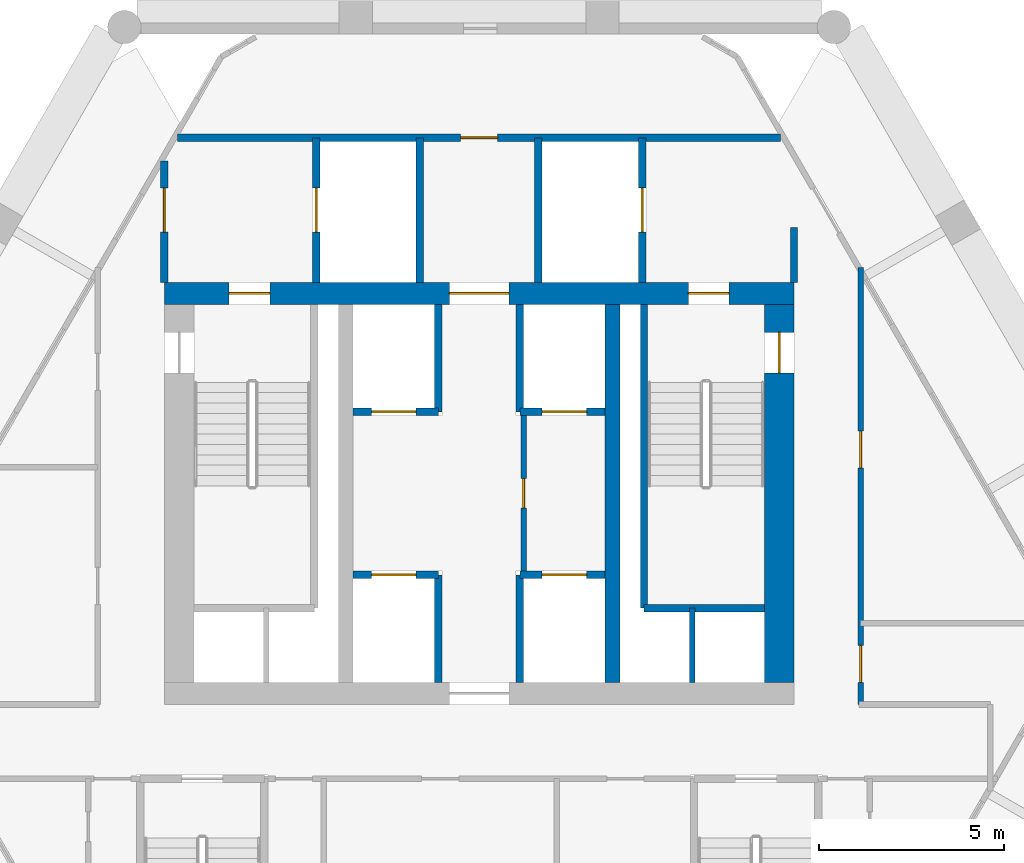
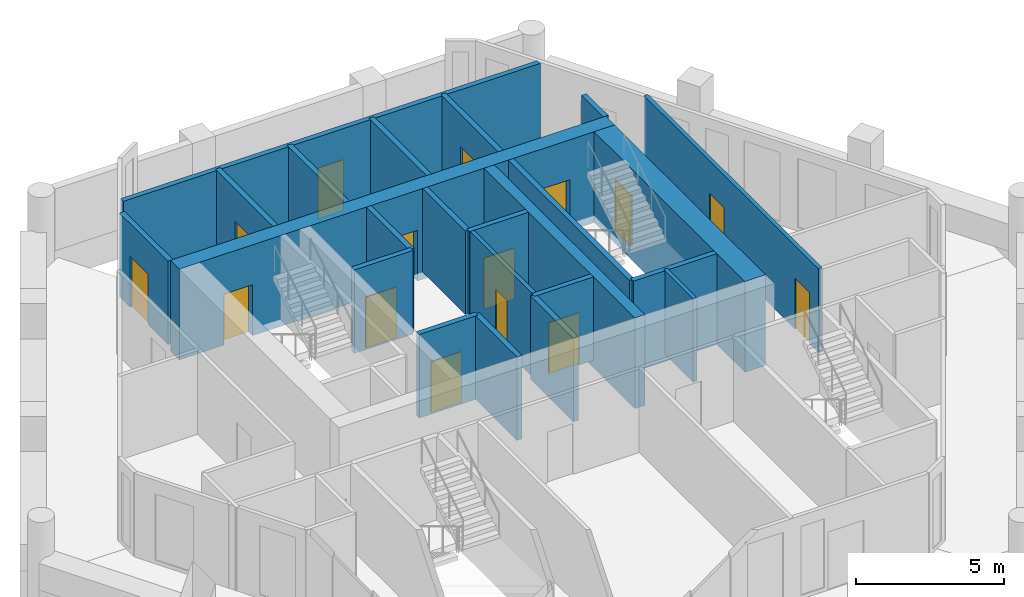
# One storey, part 4 of 6: 23 walls, 15 doors, 15 openings.
"""IFC4 building model written with IfcOpenShell, lengths in metres."""

from ifc_helpers import new_model, si_unit, direction, frame, frame_2d, origin, place, context, subcontext, project, spatial, rectangle, extrude, material, layer, layer_set, type_object, element, fill, save


model = new_model("IFC4")

# Units and contexts
model_context = context("Model", 3, precision=1e-05, world=origin(), true_north=direction((0.0, 1.0)))
body_context = subcontext(model_context, "Body", "Model", "MODEL_VIEW")
ifc_project = project(units=[si_unit("LENGTHUNIT", "METRE"), si_unit("AREAUNIT", "SQUARE_METRE"), si_unit("VOLUMEUNIT", "CUBIC_METRE"), si_unit("PLANEANGLEUNIT", "RADIAN"), si_unit("MASSUNIT", "GRAM", prefix="KILO")], contexts=[model_context])

# Site, building, storey
site_placement = place(None, origin())
site = spatial("IfcSite", under=ifc_project, at=site_placement, CompositionType="ELEMENT")
building_placement = place(site_placement, origin())
building = spatial("IfcBuilding", under=site, at=building_placement, Name="Ostrander Bayou Hotel Tower", CompositionType="ELEMENT")
storey_placement = place(building_placement, frame((0.0, 0.0, 218.25)))
storey = spatial("IfcBuildingStorey", under=building, at=storey_placement, Name="L54", CompositionType="ELEMENT", Elevation=218.25)

# Wall, openings, doors
ifc_material_1 = material(Name="Concrete f'c 60 MPa", Category="concrete")
ifc_layer_1 = layer(ifc_material_1, 0.60009765625)
ifc_layer_set_1 = layer_set([ifc_layer_1], Name="CW10 core wall 600 mm f'c 60 MPa")
wall_type_1 = type_object("IfcWallType", Name="CW10 core wall 600 mm f'c 60 MPa", PredefinedType="SHEAR", material=ifc_layer_set_1)
wall_1_placement = place(storey_placement, frame((-8.5, 9.39990234375, -0.300048828125), z_axis=(0.0, 0.0, 1.0), x_axis=(1.0, 0.0, 0.0)))
wall_1 = element("IfcWall", 1, at=wall_1_placement, inside=storey, type_object=wall_type_1, Name="CW10 L54 N", PredefinedType="SHEAR", context=body_context, shape_type="SweptSolid", body=[
    extrude(rectangle(XDim=17.0, YDim=0.60009765625, at=frame_2d((8.5, 0.0))), origin(), (0.0, 0.0, 1.0), 3.75),
])
opening_1_placement = place(wall_1_placement, frame((7.699951171875, 0.0, 0.0)))
opening_1 = element("IfcOpeningElement", 2, at=opening_1_placement, cuts=wall_1, Name="Opening T53-006", PredefinedType="OPENING", context=body_context, shape_type="SweptSolid", body=[
    extrude(rectangle(XDim=1.60009765625, YDim=2.10009765625, at=frame_2d((0.800048828125, 1.050048828125))), frame((0.0, 0.300048828125, 0.0), z_axis=(0.0, -1.0, 0.0), x_axis=(1.0, 0.0, 0.0)), (0.0, 0.0, 1.0), 0.60009765625),
])
opening_2_placement = place(wall_1_placement, frame((1.75, 0.0, 0.0)))
opening_2 = element("IfcOpeningElement", 3, at=opening_2_placement, cuts=wall_1, Name="Opening T53-007", PredefinedType="OPENING", context=body_context, shape_type="SweptSolid", body=[
    extrude(rectangle(XDim=1.10009765625, YDim=2.10009765625, at=frame_2d((0.550048828125, 1.050048828125))), frame((0.0, 0.300048828125, 0.0), z_axis=(0.0, -1.0, 0.0), x_axis=(1.0, 0.0, 0.0)), (0.0, 0.0, 1.0), 0.60009765625),
])
opening_3_placement = place(wall_1_placement, frame((14.14990234375, 0.0, 0.0)))
opening_3 = element("IfcOpeningElement", 4, at=opening_3_placement, cuts=wall_1, Name="Opening T53-009", PredefinedType="OPENING", context=body_context, shape_type="SweptSolid", body=[
    extrude(rectangle(XDim=1.10009765625, YDim=2.10009765625, at=frame_2d((0.550048828125, 1.050048828125))), frame((0.0, 0.300048828125, 0.0), z_axis=(0.0, -1.0, 0.0), x_axis=(1.0, 0.0, 0.0)), (0.0, 0.0, 1.0), 0.60009765625),
])
ifc_material_2 = material(Name="Timber door leaf", Category="wood")
door_type_1 = type_object("IfcDoorType", Name="D13 double door 1600 x 2100 mm, 1 hour", OperationType="SINGLE_SWING_LEFT", PredefinedType="DOOR", material=ifc_material_2)
door_1_placement = place(opening_1_placement, origin())
door_1 = element("IfcDoor", 5, at=door_1_placement, inside=storey, type_object=door_type_1, Name="dr:L54:006", OperationType="DOUBLE_DOOR_SINGLE_SWING", OverallHeight=2.10009765625, OverallWidth=1.60009765625, PredefinedType="DOOR", context=body_context, shape_type="SweptSolid", body=[
    extrude(rectangle(XDim=1.60009765625, YDim=2.10009765625, at=frame_2d((0.800048828125, 1.050048828125))), frame((0.0, 0.02490234375, 0.0), z_axis=(0.0, -1.0, 0.0), x_axis=(1.0, 0.0, 0.0)), (0.0, 0.0, 1.0), 0.050048828125),
])
fill(opening_1, door_1)
ifc_material_3 = material(Name="Timber door leaf", Category="wood")
door_type_2 = type_object("IfcDoorType", Name="D5 stair door 1100 x 2100 mm, 90 minute", OperationType="SINGLE_SWING_LEFT", PredefinedType="DOOR", material=ifc_material_3)
door_2_placement = place(opening_2_placement, origin())
door_2 = element("IfcDoor", 6, at=door_2_placement, inside=storey, type_object=door_type_2, Name="dr:L54:007", OperationType="SINGLE_SWING_LEFT", OverallHeight=2.10009765625, OverallWidth=1.10009765625, PredefinedType="DOOR", context=body_context, shape_type="SweptSolid", body=[
    extrude(rectangle(XDim=1.10009765625, YDim=2.10009765625, at=frame_2d((0.550048828125, 1.050048828125))), frame((0.0, 0.02490234375, 0.0), z_axis=(0.0, -1.0, 0.0), x_axis=(1.0, 0.0, 0.0)), (0.0, 0.0, 1.0), 0.050048828125),
])
fill(opening_2, door_2)
door_3_placement = place(opening_3_placement, origin())
door_3 = element("IfcDoor", 7, at=door_3_placement, inside=storey, type_object=door_type_2, Name="dr:L54:009", OperationType="SINGLE_SWING_RIGHT", OverallHeight=2.10009765625, OverallWidth=1.10009765625, PredefinedType="DOOR", context=body_context, shape_type="SweptSolid", body=[
    extrude(rectangle(XDim=1.10009765625, YDim=2.10009765625, at=frame_2d((0.550048828125, 1.050048828125))), frame((0.0, 0.02490234375, 0.0), z_axis=(0.0, -1.0, 0.0), x_axis=(1.0, 0.0, 0.0)), (0.0, 0.0, 1.0), 0.050048828125),
])
fill(opening_3, door_3)

# Wall, opening, door
ifc_material_4 = material(Name="Concrete f'c 60 MPa", Category="concrete")
ifc_layer_2 = layer(ifc_material_4, 0.800048828125)
ifc_layer_set_2 = layer_set([ifc_layer_2], Name="CW11 core spine wall 800 mm f'c 60 MPa")
wall_type_2 = type_object("IfcWallType", Name="CW11 core spine wall 800 mm f'c 60 MPa", PredefinedType="SHEAR", material=ifc_layer_set_2)
wall_2_placement = place(storey_placement, frame((8.10009765625, -1.10009765625, -0.300048828125), z_axis=(0.0, 0.0, 1.0), x_axis=(0.0, 1.0, 0.0)))
wall_2 = element("IfcWall", 8, at=wall_2_placement, inside=storey, type_object=wall_type_2, Name="CW11 L54 E", PredefinedType="SHEAR", context=body_context, shape_type="SweptSolid", body=[
    extrude(rectangle(XDim=10.2001953125, YDim=0.800048828125, at=frame_2d((5.10009765625, 0.0))), origin(), (0.0, 0.0, 1.0), 3.75),
])
opening_4_placement = place(wall_2_placement, frame((8.35009765625, 0.0, 0.0)))
opening_4 = element("IfcOpeningElement", 9, at=opening_4_placement, cuts=wall_2, Name="Opening T53-010", PredefinedType="OPENING", context=body_context, shape_type="SweptSolid", body=[
    extrude(rectangle(XDim=1.10009765625, YDim=2.10009765625, at=frame_2d((0.550048828125, 1.050048828125))), frame((0.0, 0.39990234375, 0.0), z_axis=(0.0, -1.0, 0.0), x_axis=(1.0, 0.0, 0.0)), (0.0, 0.0, 1.0), 0.800048828125),
])
door_4_placement = place(opening_4_placement, origin())
door_4 = element("IfcDoor", 10, at=door_4_placement, inside=storey, type_object=door_type_2, Name="dr:L54:010", OperationType="SINGLE_SWING_LEFT", OverallHeight=2.10009765625, OverallWidth=1.10009765625, PredefinedType="DOOR", context=body_context, shape_type="SweptSolid", body=[
    extrude(rectangle(XDim=1.10009765625, YDim=2.10009765625, at=frame_2d((0.550048828125, 1.050048828125))), frame((0.0, 0.02490234375, 0.0), z_axis=(0.0, -1.0, 0.0), x_axis=(1.0, 0.0, 0.0)), (0.0, 0.0, 1.0), 0.050048828125),
])
fill(opening_4, door_4)

# Wall
ifc_material_5 = material(Name="Concrete f'c 60 MPa", Category="concrete")
ifc_layer_3 = layer(ifc_material_5, 0.39990234375)
ifc_layer_set_3 = layer_set([ifc_layer_3], Name="CW12 core bank wall 400 mm f'c 60 MPa")
wall_type_3 = type_object("IfcWallType", Name="CW12 core bank wall 400 mm f'c 60 MPa", PredefinedType="SHEAR", material=ifc_layer_set_3)
wall_3_placement = place(storey_placement, frame((3.60009765625, -1.10009765625, -0.300048828125), z_axis=(0.0, 0.0, 1.0), x_axis=(0.0, 1.0, 0.0)))
element("IfcWall", 11, at=wall_3_placement, inside=storey, type_object=wall_type_3, Name="CW12 L54 CE", PredefinedType="SHEAR", context=body_context, shape_type="SweptSolid", body=[
    extrude(rectangle(XDim=10.2001953125, YDim=0.39990234375, at=frame_2d((5.10009765625, 0.0))), origin(), (0.0, 0.0, 1.0), 3.75),
])

# Wall, opening, door
ifc_material_6 = material(Name="Masonry block", Category="masonry")
ifc_layer_4 = layer(ifc_material_6, 0.199951171875)
ifc_layer_set_4 = layer_set([ifc_layer_4], Name="PT5 stair enclosure wall 200 mm masonry, 2 hour")
wall_type_4 = type_object("IfcWallType", Name="PT5 stair enclosure wall 200 mm masonry, 2 hour", PredefinedType="PARTITIONING", material=ifc_layer_set_4)
wall_4_placement = place(storey_placement, frame((-8.140625, 13.60009765625, 0.0), z_axis=(0.0, 0.0, 1.0), x_axis=(1.0, 0.0, 0.0)))
wall_4 = element("IfcWall", 12, at=wall_4_placement, inside=storey, type_object=wall_type_4, Name="cs:L54:024", PredefinedType="PARTITIONING", context=body_context, shape_type="SweptSolid", body=[
    extrude(rectangle(XDim=16.28125, YDim=0.199951171875, at=frame_2d((8.140625, 0.0))), origin(), (0.0, 0.0, 1.0), 3.449951171875),
])
opening_5_placement = place(wall_4_placement, frame((7.640625, 0.0, 0.0)))
opening_5 = element("IfcOpeningElement", 13, at=opening_5_placement, cuts=wall_4, Name="Opening T53-016", PredefinedType="OPENING", context=body_context, shape_type="SweptSolid", body=[
    extrude(rectangle(XDim=1.0, YDim=2.10009765625, at=frame_2d((0.5, 1.050048828125))), frame((0.0, 0.10009765625, 0.0), z_axis=(0.0, -1.0, 0.0), x_axis=(1.0, 0.0, 0.0)), (0.0, 0.0, 1.0), 0.199951171875),
])
ifc_material_7 = material(Name="Timber door leaf", Category="wood")
door_type_3 = type_object("IfcDoorType", Name="D9 service door 1000 x 2100 mm, 30 minute", OperationType="SINGLE_SWING_LEFT", PredefinedType="DOOR", material=ifc_material_7)
door_5_placement = place(opening_5_placement, origin())
door_5 = element("IfcDoor", 14, at=door_5_placement, inside=storey, type_object=door_type_3, Name="dr:L54:016", OperationType="SINGLE_SWING_LEFT", OverallHeight=2.10009765625, OverallWidth=1.0, PredefinedType="DOOR", context=body_context, shape_type="SweptSolid", body=[
    extrude(rectangle(XDim=1.0, YDim=2.10009765625, at=frame_2d((0.5, 1.050048828125))), frame((0.0, 0.02490234375, 0.0), z_axis=(0.0, -1.0, 0.0), x_axis=(1.0, 0.0, 0.0)), (0.0, 0.0, 1.0), 0.050048828125),
])
fill(opening_5, door_5)

wall_5_placement = place(storey_placement, frame((-8.5, 9.699951171875, 0.0), z_axis=(0.0, 0.0, 1.0), x_axis=(0.0, 1.0, 0.0)))
wall_5 = element("IfcWall", 15, at=wall_5_placement, inside=storey, type_object=wall_type_4, Name="cs:L54:025", PredefinedType="PARTITIONING", context=body_context, shape_type="SweptSolid", body=[
    extrude(rectangle(XDim=3.277587890625, YDim=0.199951171875, at=frame_2d((1.638671875, 0.0))), origin(), (0.0, 0.0, 1.0), 3.449951171875),
])
opening_6_placement = place(wall_5_placement, frame((1.35009765625, 0.0, 0.0)))
opening_6 = element("IfcOpeningElement", 16, at=opening_6_placement, cuts=wall_5, Name="Opening T53-014", PredefinedType="OPENING", context=body_context, shape_type="SweptSolid", body=[
    extrude(rectangle(XDim=1.199951171875, YDim=2.10009765625, at=frame_2d((0.60009765625, 1.050048828125))), frame((0.0, 0.10009765625, 0.0), z_axis=(0.0, -1.0, 0.0), x_axis=(1.0, 0.0, 0.0)), (0.0, 0.0, 1.0), 0.199951171875),
])
ifc_material_8 = material(Name="Timber door leaf", Category="wood")
door_type_4 = type_object("IfcDoorType", Name="D7 lobby door 1200 x 2100 mm, 1 hour", OperationType="SINGLE_SWING_LEFT", PredefinedType="DOOR", material=ifc_material_8)
door_6_placement = place(opening_6_placement, origin())
door_6 = element("IfcDoor", 17, at=door_6_placement, inside=storey, type_object=door_type_4, Name="dr:L54:014", OperationType="SINGLE_SWING_LEFT", OverallHeight=2.10009765625, OverallWidth=1.199951171875, PredefinedType="DOOR", context=body_context, shape_type="SweptSolid", body=[
    extrude(rectangle(XDim=1.199951171875, YDim=2.10009765625, at=frame_2d((0.60009765625, 1.050048828125))), frame((0.0, 0.02490234375, 0.0), z_axis=(0.0, -1.0, 0.0), x_axis=(1.0, 0.0, 0.0)), (0.0, 0.0, 1.0), 0.050048828125),
])
fill(opening_6, door_6)

# Wall
wall_6_placement = place(storey_placement, frame((8.5, 9.699951171875, 0.0), z_axis=(0.0, 0.0, 1.0), x_axis=(0.0, 1.0, 0.0)))
element("IfcWall", 18, at=wall_6_placement, inside=storey, type_object=wall_type_4, Name="cs:L54:026", PredefinedType="PARTITIONING", context=body_context, shape_type="SweptSolid", body=[
    extrude(rectangle(XDim=1.4775390625, YDim=0.199951171875, at=frame_2d((0.73876953125, 0.0))), origin(), (0.0, 0.0, 1.0), 3.449951171875),
])

# Wall, opening, door
wall_7_placement = place(storey_placement, frame((-4.39990234375, 9.699951171875, 0.0), z_axis=(0.0, 0.0, 1.0), x_axis=(0.0, 1.0, 0.0)))
wall_7 = element("IfcWall", 19, at=wall_7_placement, inside=storey, type_object=wall_type_4, Name="cs:L54:027", PredefinedType="PARTITIONING", context=body_context, shape_type="SweptSolid", body=[
    extrude(rectangle(XDim=3.900146484375, YDim=0.199951171875, at=frame_2d((1.9501953125, 0.0))), origin(), (0.0, 0.0, 1.0), 3.449951171875),
])
opening_7_placement = place(wall_7_placement, frame((1.35009765625, 0.0, 0.0)))
opening_7 = element("IfcOpeningElement", 20, at=opening_7_placement, cuts=wall_7, Name="Opening T53-013", PredefinedType="OPENING", context=body_context, shape_type="SweptSolid", body=[
    extrude(rectangle(XDim=1.199951171875, YDim=2.10009765625, at=frame_2d((0.60009765625, 1.050048828125))), frame((0.0, 0.10009765625, 0.0), z_axis=(0.0, -1.0, 0.0), x_axis=(1.0, 0.0, 0.0)), (0.0, 0.0, 1.0), 0.199951171875),
])
ifc_material_9 = material(Name="Stainless steel sliding door", Category="steel")
door_type_5 = type_object("IfcDoorType", Name="LD1 lift landing door 1200 x 2100 mm", OperationType="SINGLE_SWING_LEFT", PredefinedType="DOOR", material=ifc_material_9)
door_7_placement = place(opening_7_placement, origin())
door_7 = element("IfcDoor", 21, at=door_7_placement, inside=storey, type_object=door_type_5, Name="dr:L54:013", OperationType="SLIDING_TO_LEFT", OverallHeight=2.10009765625, OverallWidth=1.199951171875, PredefinedType="DOOR", context=body_context, shape_type="SweptSolid", body=[
    extrude(rectangle(XDim=1.199951171875, YDim=2.10009765625, at=frame_2d((0.60009765625, 1.050048828125))), frame((0.0, 0.02490234375, 0.0), z_axis=(0.0, -1.0, 0.0), x_axis=(1.0, 0.0, 0.0)), (0.0, 0.0, 1.0), 0.050048828125),
])
fill(opening_7, door_7)

wall_8_placement = place(storey_placement, frame((4.39990234375, 9.699951171875, 0.0), z_axis=(0.0, 0.0, 1.0), x_axis=(0.0, 1.0, 0.0)))
wall_8 = element("IfcWall", 22, at=wall_8_placement, inside=storey, type_object=wall_type_4, Name="cs:L54:028", PredefinedType="PARTITIONING", context=body_context, shape_type="SweptSolid", body=[
    extrude(rectangle(XDim=3.900146484375, YDim=0.199951171875, at=frame_2d((1.9501953125, 0.0))), origin(), (0.0, 0.0, 1.0), 3.449951171875),
])
opening_8_placement = place(wall_8_placement, frame((1.35009765625, 0.0, 0.0)))
opening_8 = element("IfcOpeningElement", 23, at=opening_8_placement, cuts=wall_8, Name="Opening T53-015", PredefinedType="OPENING", context=body_context, shape_type="SweptSolid", body=[
    extrude(rectangle(XDim=1.199951171875, YDim=2.10009765625, at=frame_2d((0.60009765625, 1.050048828125))), frame((0.0, 0.10009765625, 0.0), z_axis=(0.0, -1.0, 0.0), x_axis=(1.0, 0.0, 0.0)), (0.0, 0.0, 1.0), 0.199951171875),
])
door_8_placement = place(opening_8_placement, origin())
door_8 = element("IfcDoor", 24, at=door_8_placement, inside=storey, type_object=door_type_5, Name="dr:L54:015", OperationType="SLIDING_TO_LEFT", OverallHeight=2.10009765625, OverallWidth=1.199951171875, PredefinedType="DOOR", context=body_context, shape_type="SweptSolid", body=[
    extrude(rectangle(XDim=1.199951171875, YDim=2.10009765625, at=frame_2d((0.60009765625, 1.050048828125))), frame((0.0, 0.02490234375, 0.0), z_axis=(0.0, -1.0, 0.0), x_axis=(1.0, 0.0, 0.0)), (0.0, 0.0, 1.0), 0.050048828125),
])
fill(opening_8, door_8)

ifc_material_10 = material(Name="Masonry block", Category="masonry")
ifc_layer_5 = layer(ifc_material_10, 0.199951171875)
ifc_layer_set_5 = layer_set([ifc_layer_5], Name="PT6 lift shaft wall 200 mm masonry, 2 hour")
wall_type_5 = type_object("IfcWallType", Name="PT6 lift shaft wall 200 mm masonry, 2 hour", PredefinedType="PARTITIONING", material=ifc_layer_set_5)
wall_9_placement = place(storey_placement, frame((-3.39990234375, 1.800048828125, 0.0), z_axis=(0.0, 0.0, 1.0), x_axis=(1.0, 0.0, 0.0)))
wall_9 = element("IfcWall", 25, at=wall_9_placement, inside=storey, type_object=wall_type_5, Name="cs:L54:001", PredefinedType="PARTITIONING", context=body_context, shape_type="SweptSolid", body=[
    extrude(rectangle(XDim=2.2998046875, YDim=0.199951171875, at=frame_2d((1.14990234375, 0.0))), origin(), (0.0, 0.0, 1.0), 3.449951171875),
])
opening_9_placement = place(wall_9_placement, frame((0.5, 0.0, 0.0)))
opening_9 = element("IfcOpeningElement", 26, at=opening_9_placement, cuts=wall_9, Name="Opening T53-001", PredefinedType="OPENING", context=body_context, shape_type="SweptSolid", body=[
    extrude(rectangle(XDim=1.199951171875, YDim=2.10009765625, at=frame_2d((0.60009765625, 1.050048828125))), frame((0.0, 0.10009765625, 0.0), z_axis=(0.0, -1.0, 0.0), x_axis=(1.0, 0.0, 0.0)), (0.0, 0.0, 1.0), 0.199951171875),
])
door_9_placement = place(opening_9_placement, origin())
door_9 = element("IfcDoor", 27, at=door_9_placement, inside=storey, type_object=door_type_5, Name="dr:L54:001", OperationType="SLIDING_TO_LEFT", OverallHeight=2.10009765625, OverallWidth=1.199951171875, PredefinedType="DOOR", context=body_context, shape_type="SweptSolid", body=[
    extrude(rectangle(XDim=1.199951171875, YDim=2.10009765625, at=frame_2d((0.60009765625, 1.050048828125))), frame((0.0, 0.02490234375, 0.0), z_axis=(0.0, -1.0, 0.0), x_axis=(1.0, 0.0, 0.0)), (0.0, 0.0, 1.0), 0.050048828125),
])
fill(opening_9, door_9)

wall_10_placement = place(storey_placement, frame((-3.39990234375, 6.199951171875, 0.0), z_axis=(0.0, 0.0, 1.0), x_axis=(1.0, 0.0, 0.0)))
wall_10 = element("IfcWall", 28, at=wall_10_placement, inside=storey, type_object=wall_type_5, Name="cs:L54:002", PredefinedType="PARTITIONING", context=body_context, shape_type="SweptSolid", body=[
    extrude(rectangle(XDim=2.2998046875, YDim=0.199951171875, at=frame_2d((1.14990234375, 0.0))), origin(), (0.0, 0.0, 1.0), 3.449951171875),
])
opening_10_placement = place(wall_10_placement, frame((0.5, 0.0, 0.0)))
opening_10 = element("IfcOpeningElement", 29, at=opening_10_placement, cuts=wall_10, Name="Opening T53-003", PredefinedType="OPENING", context=body_context, shape_type="SweptSolid", body=[
    extrude(rectangle(XDim=1.199951171875, YDim=2.10009765625, at=frame_2d((0.60009765625, 1.050048828125))), frame((0.0, 0.10009765625, 0.0), z_axis=(0.0, -1.0, 0.0), x_axis=(1.0, 0.0, 0.0)), (0.0, 0.0, 1.0), 0.199951171875),
])
door_10_placement = place(opening_10_placement, origin())
door_10 = element("IfcDoor", 30, at=door_10_placement, inside=storey, type_object=door_type_5, Name="dr:L54:003", OperationType="SLIDING_TO_LEFT", OverallHeight=2.10009765625, OverallWidth=1.199951171875, PredefinedType="DOOR", context=body_context, shape_type="SweptSolid", body=[
    extrude(rectangle(XDim=1.199951171875, YDim=2.10009765625, at=frame_2d((0.60009765625, 1.050048828125))), frame((0.0, 0.02490234375, 0.0), z_axis=(0.0, -1.0, 0.0), x_axis=(1.0, 0.0, 0.0)), (0.0, 0.0, 1.0), 0.050048828125),
])
fill(opening_10, door_10)

wall_11_placement = place(storey_placement, frame((1.10009765625, 1.800048828125, 0.0), z_axis=(0.0, 0.0, 1.0), x_axis=(1.0, 0.0, 0.0)))
wall_11 = element("IfcWall", 31, at=wall_11_placement, inside=storey, type_object=wall_type_5, Name="cs:L54:003", PredefinedType="PARTITIONING", context=body_context, shape_type="SweptSolid", body=[
    extrude(rectangle(XDim=2.2998046875, YDim=0.199951171875, at=frame_2d((1.14990234375, 0.0))), origin(), (0.0, 0.0, 1.0), 3.449951171875),
])
opening_11_placement = place(wall_11_placement, frame((0.60009765625, 0.0, 0.0)))
opening_11 = element("IfcOpeningElement", 32, at=opening_11_placement, cuts=wall_11, Name="Opening T53-002", PredefinedType="OPENING", context=body_context, shape_type="SweptSolid", body=[
    extrude(rectangle(XDim=1.199951171875, YDim=2.10009765625, at=frame_2d((0.60009765625, 1.050048828125))), frame((0.0, 0.10009765625, 0.0), z_axis=(0.0, -1.0, 0.0), x_axis=(1.0, 0.0, 0.0)), (0.0, 0.0, 1.0), 0.199951171875),
])
door_11_placement = place(opening_11_placement, origin())
door_11 = element("IfcDoor", 33, at=door_11_placement, inside=storey, type_object=door_type_5, Name="dr:L54:002", OperationType="SLIDING_TO_LEFT", OverallHeight=2.10009765625, OverallWidth=1.199951171875, PredefinedType="DOOR", context=body_context, shape_type="SweptSolid", body=[
    extrude(rectangle(XDim=1.199951171875, YDim=2.10009765625, at=frame_2d((0.60009765625, 1.050048828125))), frame((0.0, 0.02490234375, 0.0), z_axis=(0.0, -1.0, 0.0), x_axis=(1.0, 0.0, 0.0)), (0.0, 0.0, 1.0), 0.050048828125),
])
fill(opening_11, door_11)

wall_12_placement = place(storey_placement, frame((1.10009765625, 6.199951171875, 0.0), z_axis=(0.0, 0.0, 1.0), x_axis=(1.0, 0.0, 0.0)))
wall_12 = element("IfcWall", 34, at=wall_12_placement, inside=storey, type_object=wall_type_5, Name="cs:L54:004", PredefinedType="PARTITIONING", context=body_context, shape_type="SweptSolid", body=[
    extrude(rectangle(XDim=2.2998046875, YDim=0.199951171875, at=frame_2d((1.14990234375, 0.0))), origin(), (0.0, 0.0, 1.0), 3.449951171875),
])
opening_12_placement = place(wall_12_placement, frame((0.60009765625, 0.0, 0.0)))
opening_12 = element("IfcOpeningElement", 35, at=opening_12_placement, cuts=wall_12, Name="Opening T53-004", PredefinedType="OPENING", context=body_context, shape_type="SweptSolid", body=[
    extrude(rectangle(XDim=1.199951171875, YDim=2.10009765625, at=frame_2d((0.60009765625, 1.050048828125))), frame((0.0, 0.10009765625, 0.0), z_axis=(0.0, -1.0, 0.0), x_axis=(1.0, 0.0, 0.0)), (0.0, 0.0, 1.0), 0.199951171875),
])
door_12_placement = place(opening_12_placement, origin())
door_12 = element("IfcDoor", 36, at=door_12_placement, inside=storey, type_object=door_type_5, Name="dr:L54:004", OperationType="SLIDING_TO_LEFT", OverallHeight=2.10009765625, OverallWidth=1.199951171875, PredefinedType="DOOR", context=body_context, shape_type="SweptSolid", body=[
    extrude(rectangle(XDim=1.199951171875, YDim=2.10009765625, at=frame_2d((0.60009765625, 1.050048828125))), frame((0.0, 0.02490234375, 0.0), z_axis=(0.0, -1.0, 0.0), x_axis=(1.0, 0.0, 0.0)), (0.0, 0.0, 1.0), 0.050048828125),
])
fill(opening_12, door_12)

# Walls
for number, where, z_axis, x_axis, name in (
    (37, (-1.10009765625, -1.10009765625, 0.0), (0.0, 0.0, 1.0), (0.0, 1.0, 0.0), "cs:L54:005"),
    (38, (1.10009765625, -1.10009765625, 0.0), (0.0, 0.0, 1.0), (0.0, 1.0, 0.0), "cs:L54:006"),
    (39, (-1.10009765625, 6.199951171875, 0.0), (0.0, 0.0, 1.0), (0.0, 1.0, 0.0), "cs:L54:007"),
    (40, (1.10009765625, 6.199951171875, 0.0), (0.0, 0.0, 1.0), (0.0, 1.0, 0.0), "cs:L54:008"),
):
    element("IfcWall", number, at=place(storey_placement, frame(where, z_axis=z_axis, x_axis=x_axis)), inside=storey, type_object=wall_type_5, Name=name, PredefinedType="PARTITIONING", context=body_context, shape_type="SweptSolid", body=[
        extrude(rectangle(XDim=2.900146484375, YDim=0.199951171875, at=frame_2d((1.4501953125, 0.0))), origin(), (0.0, 0.0, 1.0), 3.449951171875),
    ])
for number, where, z_axis, x_axis, name in (
    (41, (-1.60009765625, 9.699951171875, 0.0), (0.0, 0.0, 1.0), (0.0, 1.0, 0.0), "cs:L54:029"),
    (42, (1.60009765625, 9.699951171875, 0.0), (0.0, 0.0, 1.0), (0.0, 1.0, 0.0), "cs:L54:030"),
):
    element("IfcWall", number, at=place(storey_placement, frame(where, z_axis=z_axis, x_axis=x_axis)), inside=storey, type_object=wall_type_5, Name=name, PredefinedType="PARTITIONING", context=body_context, shape_type="SweptSolid", body=[
        extrude(rectangle(XDim=3.900146484375, YDim=0.199951171875, at=frame_2d((1.9501953125, 0.0))), origin(), (0.0, 0.0, 1.0), 3.449951171875),
    ])
ifc_material_11 = material(Name="Gypsum board partition", Category="finish")
ifc_layer_6 = layer(ifc_material_11, 0.14990234375)
ifc_layer_set_6 = layer_set([ifc_layer_6], Name="PT7 riser wall 150 mm, 2 hour")
wall_type_6 = type_object("IfcWallType", Name="PT7 riser wall 150 mm, 2 hour", PredefinedType="PARTITIONING", material=ifc_layer_set_6)
wall_13_placement = place(storey_placement, frame((5.75, -1.10009765625, 0.0), z_axis=(0.0, 0.0, 1.0), x_axis=(0.0, 1.0, 0.0)))
element("IfcWall", 43, at=wall_13_placement, inside=storey, type_object=wall_type_6, Name="cs:L54:014", PredefinedType="PARTITIONING", context=body_context, shape_type="SweptSolid", body=[
    extrude(rectangle(XDim=2.0, YDim=0.14990234375, at=frame_2d((1.0, 0.0))), origin(), (0.0, 0.0, 1.0), 3.449951171875),
])

# Wall, opening, door
wall_14_placement = place(storey_placement, frame((1.199951171875, 1.89990234375, 0.0), z_axis=(0.0, 0.0, 1.0), x_axis=(0.0, 1.0, 0.0)))
wall_14 = element("IfcWall", 44, at=wall_14_placement, inside=storey, type_object=wall_type_6, Name="cs:L54:031", PredefinedType="PARTITIONING", context=body_context, shape_type="SweptSolid", body=[
    extrude(rectangle(XDim=4.2001953125, YDim=0.14990234375, at=frame_2d((2.10009765625, 0.0))), origin(), (0.0, 0.0, 1.0), 3.449951171875),
])
opening_13_placement = place(wall_14_placement, frame((1.699951171875, 0.0, 0.0)))
opening_13 = element("IfcOpeningElement", 45, at=opening_13_placement, cuts=wall_14, Name="Opening T53-017", PredefinedType="OPENING", context=body_context, shape_type="SweptSolid", body=[
    extrude(rectangle(XDim=0.800048828125, YDim=2.10009765625, at=frame_2d((0.39990234375, 1.050048828125))), frame((0.0, 0.074951171875, 0.0), z_axis=(0.0, -1.0, 0.0), x_axis=(1.0, 0.0, 0.0)), (0.0, 0.0, 1.0), 0.14990234375),
])
ifc_material_12 = material(Name="Timber door leaf", Category="wood")
door_type_6 = type_object("IfcDoorType", Name="D6 riser door 800 x 2100 mm, 90 minute", OperationType="SINGLE_SWING_LEFT", PredefinedType="DOOR", material=ifc_material_12)
door_13_placement = place(opening_13_placement, origin())
door_13 = element("IfcDoor", 46, at=door_13_placement, inside=storey, type_object=door_type_6, Name="dr:L54:017", OperationType="SINGLE_SWING_RIGHT", OverallHeight=2.10009765625, OverallWidth=0.800048828125, PredefinedType="DOOR", context=body_context, shape_type="SweptSolid", body=[
    extrude(rectangle(XDim=0.800048828125, YDim=2.10009765625, at=frame_2d((0.39990234375, 1.050048828125))), frame((0.0, 0.02490234375, 0.0), z_axis=(0.0, -1.0, 0.0), x_axis=(1.0, 0.0, 0.0)), (0.0, 0.0, 1.0), 0.050048828125),
])
fill(opening_13, door_13)

# Wall, openings, doors
ifc_material_13 = material(Name="Gypsum board partition", Category="finish")
ifc_layer_7 = layer(ifc_material_13, 0.14990234375)
ifc_layer_set_7 = layer_set([ifc_layer_7], Name="PT8 service band wall 150 mm, 1 hour")
wall_type_7 = type_object("IfcWallType", Name="PT8 service band wall 150 mm, 1 hour", PredefinedType="PARTITIONING", material=ifc_layer_set_7)
wall_15_placement = place(storey_placement, frame((10.300048828125, -1.699951171875, 0.0), z_axis=(0.0, 0.0, 1.0), x_axis=(0.0, 1.0, 0.0)))
wall_15 = element("IfcWall", 47, at=wall_15_placement, inside=storey, type_object=wall_type_7, Name="gw:L54:012", PredefinedType="PARTITIONING", context=body_context, shape_type="SweptSolid", body=[
    extrude(rectangle(XDim=11.800048828125, YDim=0.14990234375, at=frame_2d((5.89990234375, 0.0))), origin(), (0.0, 0.0, 1.0), 3.449951171875),
])
opening_14_placement = place(wall_15_placement, frame((0.60009765625, 0.0, 0.0)))
opening_14 = element("IfcOpeningElement", 48, at=opening_14_placement, cuts=wall_15, Name="Opening T53-409", PredefinedType="OPENING", context=body_context, shape_type="SweptSolid", body=[
    extrude(rectangle(XDim=1.0, YDim=2.10009765625, at=frame_2d((0.5, 1.050048828125))), frame((0.0, 0.074951171875, 0.0), z_axis=(0.0, -1.0, 0.0), x_axis=(1.0, 0.0, 0.0)), (0.0, 0.0, 1.0), 0.14990234375),
])
opening_15_placement = place(wall_15_placement, frame((6.3798828125, 0.0, 0.0)))
opening_15 = element("IfcOpeningElement", 49, at=opening_15_placement, cuts=wall_15, Name="Opening T53-410", PredefinedType="OPENING", context=body_context, shape_type="SweptSolid", body=[
    extrude(rectangle(XDim=1.0, YDim=2.10009765625, at=frame_2d((0.5, 1.050048828125))), frame((0.0, 0.074951171875, 0.0), z_axis=(0.0, -1.0, 0.0), x_axis=(1.0, 0.0, 0.0)), (0.0, 0.0, 1.0), 0.14990234375),
])
ifc_material_14 = material(Name="Timber door leaf", Category="wood")
door_type_7 = type_object("IfcDoorType", Name="D15 room door 1000 x 2100 mm", OperationType="SINGLE_SWING_LEFT", PredefinedType="DOOR", material=ifc_material_14)
door_14_placement = place(opening_14_placement, origin())
door_14 = element("IfcDoor", 50, at=door_14_placement, inside=storey, type_object=door_type_7, Name="dr:L54:409", OperationType="SINGLE_SWING_RIGHT", OverallHeight=2.10009765625, OverallWidth=1.0, PredefinedType="DOOR", context=body_context, shape_type="SweptSolid", body=[
    extrude(rectangle(XDim=1.0, YDim=2.10009765625, at=frame_2d((0.5, 1.050048828125))), frame((0.0, 0.02490234375, 0.0), z_axis=(0.0, -1.0, 0.0), x_axis=(1.0, 0.0, 0.0)), (0.0, 0.0, 1.0), 0.050048828125),
])
fill(opening_14, door_14)
door_15_placement = place(opening_15_placement, origin())
door_15 = element("IfcDoor", 51, at=door_15_placement, inside=storey, type_object=door_type_3, Name="dr:L54:410", OperationType="SINGLE_SWING_LEFT", OverallHeight=2.10009765625, OverallWidth=1.0, PredefinedType="DOOR", context=body_context, shape_type="SweptSolid", body=[
    extrude(rectangle(XDim=1.0, YDim=2.10009765625, at=frame_2d((0.5, 1.050048828125))), frame((0.0, 0.02490234375, 0.0), z_axis=(0.0, -1.0, 0.0), x_axis=(1.0, 0.0, 0.0)), (0.0, 0.0, 1.0), 0.050048828125),
])
fill(opening_15, door_15)

# Walls
ifc_material_15 = material(Name="Concrete f'c 45 MPa", Category="concrete")
ifc_layer_8 = layer(ifc_material_15, 0.199951171875)
ifc_layer_set_8 = layer_set([ifc_layer_8], Name="SW5 stair enclosure wall 200 mm f'c 45 MPa")
wall_type_8 = type_object("IfcWallType", Name="SW5 stair enclosure wall 200 mm f'c 45 MPa", PredefinedType="SOLIDWALL", material=ifc_layer_set_8)
wall_16_placement = place(storey_placement, frame((4.449951171875, 0.89990234375, -0.300048828125), z_axis=(0.0, 0.0, 1.0), x_axis=(0.0, 1.0, 0.0)))
element("IfcWall", 52, at=wall_16_placement, inside=storey, type_object=wall_type_8, Name="cs:L54:012", PredefinedType="SOLIDWALL", context=body_context, shape_type="SweptSolid", body=[
    extrude(rectangle(XDim=8.2001953125, YDim=0.199951171875, at=frame_2d((4.10009765625, 0.0))), origin(), (0.0, 0.0, 1.0), 3.75),
])
wall_17_placement = place(storey_placement, frame((4.449951171875, 0.89990234375, -0.300048828125), z_axis=(0.0, 0.0, 1.0), x_axis=(1.0, 0.0, 0.0)))
element("IfcWall", 53, at=wall_17_placement, inside=storey, type_object=wall_type_8, Name="cs:L54:013", PredefinedType="SOLIDWALL", context=body_context, shape_type="SweptSolid", body=[
    extrude(rectangle(XDim=3.25, YDim=0.199951171875, at=frame_2d((1.625, 0.0))), origin(), (0.0, 0.0, 1.0), 3.75),
])

save(model, "model.ifc")
